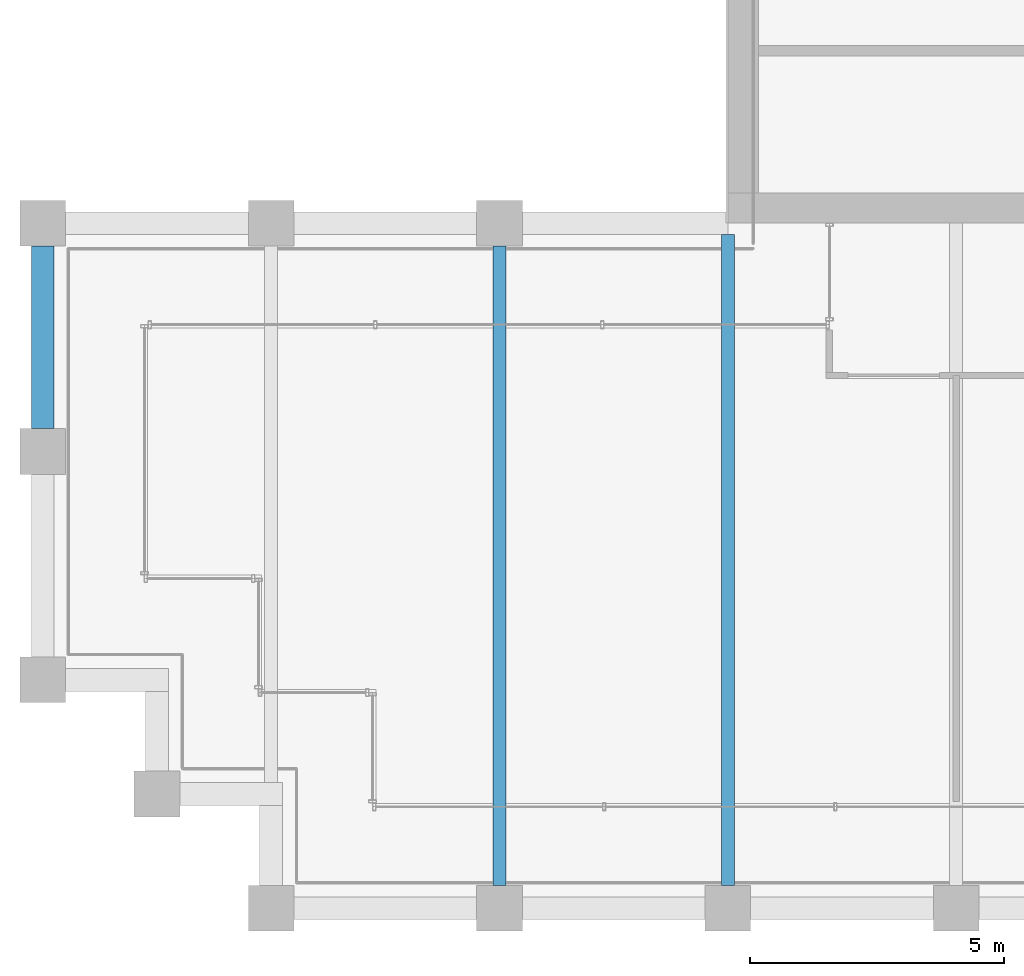
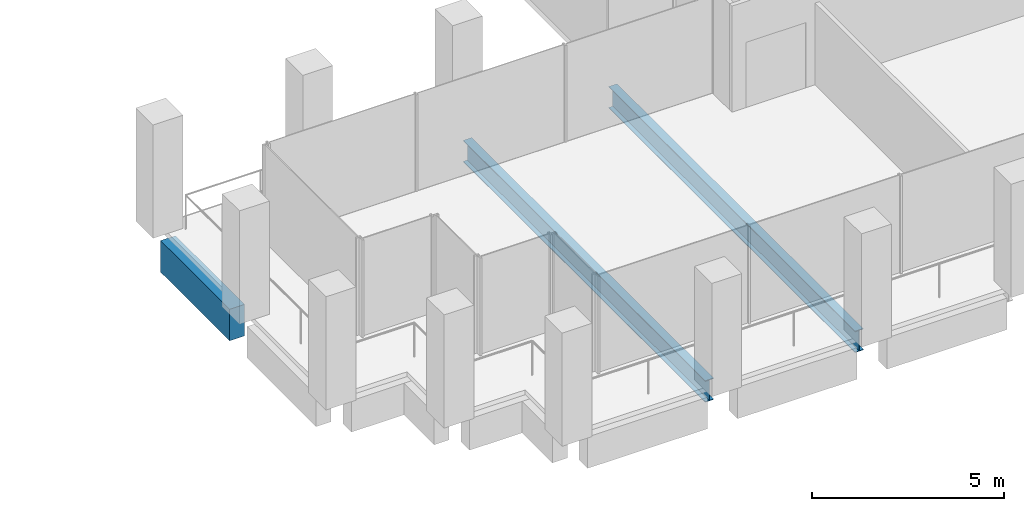
# One storey, part 4 of 40: 3 beams.
"""IFC4 building model written with IfcOpenShell, lengths in metres."""

from ifc_helpers import new_model, si_unit, direction, frame, origin, origin_2d, place, context, subcontext, project, spatial, rectangle, i_section, extrude, material, material_profile, profile_set, type_object, element, save


model = new_model("IFC4")

# Units and contexts
model_context = context("Model", 3, precision=1e-05, world=origin(), true_north=direction((0.0, 1.0)))
body_context = subcontext(model_context, "Body", "Model", "MODEL_VIEW")
ifc_project = project(units=[si_unit("LENGTHUNIT", "METRE"), si_unit("AREAUNIT", "SQUARE_METRE"), si_unit("VOLUMEUNIT", "CUBIC_METRE"), si_unit("PLANEANGLEUNIT", "RADIAN"), si_unit("MASSUNIT", "GRAM", prefix="KILO")], contexts=[model_context])

# Site, building, storey
site_placement = place(None, origin())
site = spatial("IfcSite", under=ifc_project, at=site_placement, CompositionType="ELEMENT")
building_placement = place(site_placement, origin())
building = spatial("IfcBuilding", under=site, at=building_placement, Name="Altepetl Exchange Towers", CompositionType="ELEMENT")
storey_placement = place(building_placement, frame((0.0, 0.0, 187.0)))
storey = spatial("IfcBuildingStorey", under=building, at=storey_placement, Name="L47", CompositionType="ELEMENT", Elevation=187.0)

# Beams
ifc_material_1 = material(Name="Steel S355", Category="steel")
ifc_material_profile_1 = material_profile(ifc_material_1, i_section(OverallWidth=0.25390625, OverallDepth=0.68408203125, WebThickness=0.012451171875, FlangeThickness=0.018798828125, at=origin_2d()), Name="W27X94")
ifc_profile_set_1 = profile_set([ifc_material_profile_1], Name="Steel S355")
beam_type_1 = type_object("IfcBeamType", Name="Floor beam W27X94", PredefinedType="BEAM", material=ifc_profile_set_1)
beam_1_placement = place(storey_placement, frame((36.0, 27.449951171875, -0.491943359375), z_axis=(0.0, 1.0, 0.0), x_axis=(-1.0, 0.0, 0.0)))
element("IfcBeam", 1, at=beam_1_placement, inside=storey, type_object=beam_type_1, Name="bm:A:L47:013", PredefinedType="BEAM", context=body_context, shape_type="SweptSolid", body=[
    extrude(i_section(OverallWidth=0.25390625, OverallDepth=0.68408203125, WebThickness=0.012451171875, FlangeThickness=0.018798828125, at=origin_2d()), origin(), (0.0, 0.0, 1.0), 12.60009765625),
])
beam_2_placement = place(storey_placement, frame((40.5, 27.449951171875, -0.491943359375), z_axis=(0.0, 1.0, 0.0), x_axis=(-1.0, 0.0, 0.0)))
element("IfcBeam", 2, at=beam_2_placement, inside=storey, type_object=beam_type_1, Name="bm:A:L47:014", PredefinedType="BEAM", context=body_context, shape_type="SweptSolid", body=[
    extrude(i_section(OverallWidth=0.25390625, OverallDepth=0.68408203125, WebThickness=0.012451171875, FlangeThickness=0.018798828125, at=origin_2d()), origin(), (0.0, 0.0, 1.0), 12.824951171875),
])
ifc_material_2 = material(Name="Concrete C50/60 precast with cantera blanca facing", Category="concrete")
ifc_material_profile_2 = material_profile(ifc_material_2, rectangle(XDim=0.449951171875, YDim=1.0, at=origin_2d()), Name="450 x 1000")
ifc_profile_set_2 = profile_set([ifc_material_profile_2], Name="Concrete C50/60 precast with cantera blanca facing")
beam_type_2 = type_object("IfcBeamType", Name="Spandrel beam 450x1000 cantera blanca", PredefinedType="SPANDREL", material=ifc_profile_set_2)
beam_3_placement = place(storey_placement, frame((27.0, 40.050048828125, -0.64990234375), z_axis=(0.0, -1.0, 0.0), x_axis=(1.0, 0.0, 0.0)))
element("IfcBeam", 3, at=beam_3_placement, inside=storey, type_object=beam_type_2, Name="sp:A:L47:036", PredefinedType="SPANDREL", context=body_context, shape_type="SweptSolid", body=[
    extrude(rectangle(XDim=0.449951171875, YDim=1.0, at=origin_2d()), origin(), (0.0, 0.0, 1.0), 3.60009765625),
])

save(model, "model.ifc")
